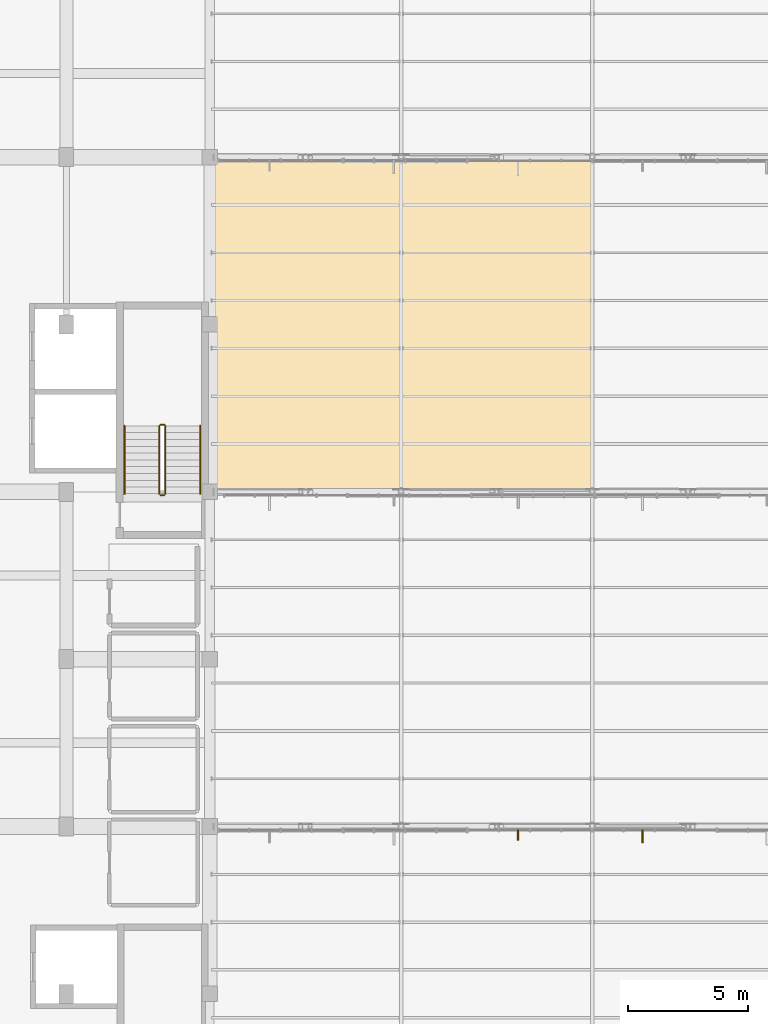
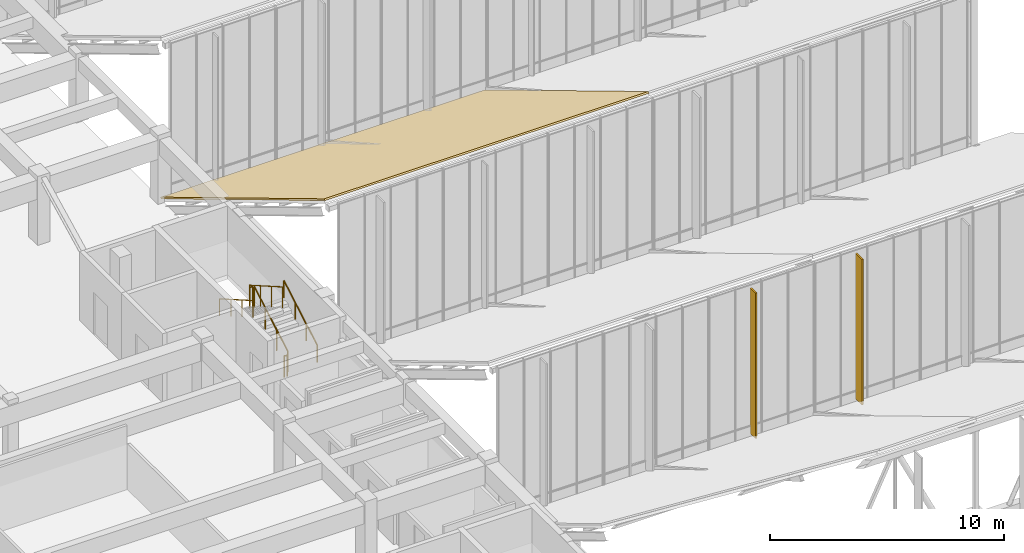
# One storey, part 150 of 155: 6 railings, 2 shading devices, 1 covering.
"""IFC4 building model written with IfcOpenShell, lengths in metres."""

from ifc_helpers import new_model, si_unit, direction, frame, origin, origin_2d, place, context, subcontext, project, spatial, polyline, rectangle, circle, outline, extrude, material, layer, layer_set, type_object, element, save


model = new_model("IFC4")

# Units and contexts
model_context = context("Model", 3, precision=1e-05, world=origin(), true_north=direction((0.0, 1.0)))
body_context = subcontext(model_context, "Body", "Model", "MODEL_VIEW")
ifc_project = project(units=[si_unit("LENGTHUNIT", "METRE"), si_unit("AREAUNIT", "SQUARE_METRE"), si_unit("VOLUMEUNIT", "CUBIC_METRE"), si_unit("PLANEANGLEUNIT", "RADIAN"), si_unit("MASSUNIT", "GRAM", prefix="KILO")], contexts=[model_context])

# Site, building, storey
site_placement = place(None, origin())
site = spatial("IfcSite", under=ifc_project, at=site_placement, CompositionType="ELEMENT")
building_placement = place(site_placement, origin())
building = spatial("IfcBuilding", under=site, at=building_placement, Name="Larkveld Mobility Hub", CompositionType="ELEMENT")
storey_placement = place(building_placement, frame((0.0, 0.0, 8.39990234375)))
storey = spatial("IfcBuildingStorey", under=building, at=storey_placement, Name="L02", CompositionType="ELEMENT", Elevation=8.39990234375)

# Covering
ifc_material_1 = material(Name="Standing-seam zinc-alume roofing", Category="aluminium")
ifc_layer_1 = layer(ifc_material_1, 0.080078125, Name="Standing-seam zinc-alume roofing", Category="aluminium")
ifc_layer_set_1 = layer_set([ifc_layer_1], Name="Standing-seam zinc-alume roofing")
covering_type = type_object("IfcCoveringType", Name="COV-RFG-01", PredefinedType="ROOFING", material=ifc_layer_set_1)
covering_placement = place(storey_placement, frame((152.0, 56.0, 8.482177734375), z_axis=(0.0, 0.51450235251, 0.857488967429), x_axis=(1.0, 0.0, 0.0)))
element("IfcCovering", 1, at=covering_placement, inside=storey, type_object=covering_type, Name="Sawtooth Standing-Seam Metal Roof B3.1", PredefinedType="ROOFING", context=body_context, shape_type="SweptSolid", body=[
    extrude(outline(polyline([(0.0, 0.0), (16.0, 0.0), (16.0, 16.326740671639204), (0.0, 16.326740671639204), (0.0, 0.0)])), origin(), (0.0, 0.0, -1.0), 0.080078125),
])

# Railings
ifc_material_2 = material(Name="Galvanized Steel S355JR balustrade", Category="steel")
railing_type_1 = type_object("IfcRailingType", Name="RL-GRD-1100", PredefinedType="GUARDRAIL", material=ifc_material_2)
railing_1_placement = place(storey_placement, frame((150.139892578125, 55.909912109375, 0.163818359375)))
element("IfcRailing", 2, at=railing_1_placement, inside=storey, type_object=railing_type_1, Name="L02 ST2 stair guard 1", PredefinedType="GUARDRAIL", context=body_context, shape_type="SweptSolid", body=[
    extrude(circle(Radius=0.02392578125, at=origin_2d()), frame((0.0, 0.0, 1.076171875), z_axis=(0.0, 0.867244780686, 0.497882004468), x_axis=(-1.0, 0.0, 0.0)), (0.0, 0.0, 1.0), 3.286376953125),
    extrude(circle(Radius=0.02099609375, at=origin_2d()), origin(), (0.0, 0.0, 1.0), 1.052001953125),
    extrude(circle(Radius=0.02099609375, at=origin_2d()), frame((0.0, 0.949951171875, 0.54541015625)), (0.0, 0.0, 1.0), 1.052001953125),
    extrude(circle(Radius=0.02099609375, at=origin_2d()), frame((0.0, 1.900146484375, 1.0908203125)), (0.0, 0.0, 1.0), 1.052001953125),
    extrude(circle(Radius=0.02099609375, at=origin_2d()), frame((0.0, 2.85009765625, 1.63623046875)), (0.0, 0.0, 1.0), 1.052001953125),
])
railing_2_placement = place(storey_placement, frame((150.090087890625, 58.81005859375, 1.800048828125)))
element("IfcRailing", 3, at=railing_2_placement, inside=storey, type_object=railing_type_1, Name="L02 ST2 stair guard 2", PredefinedType="GUARDRAIL", context=body_context, shape_type="SweptSolid", body=[
    extrude(circle(Radius=0.02392578125, at=origin_2d()), frame((0.0, 0.0, 1.076171875), z_axis=(-1.0, 0.0, 0.0), x_axis=(0.0, -1.0, 0.0)), (0.0, 0.0, 1.0), 0.150146484375),
    extrude(circle(Radius=0.02099609375, at=origin_2d()), origin(), (0.0, 0.0, 1.0), 1.052001953125),
    extrude(circle(Radius=0.02099609375, at=origin_2d()), frame((-0.150146484375, 0.0, 0.0)), (0.0, 0.0, 1.0), 1.052001953125),
])
railing_3_placement = place(storey_placement, frame((149.889892578125, 58.760009765625, 1.963623046875)))
element("IfcRailing", 4, at=railing_3_placement, inside=storey, type_object=railing_type_1, Name="L02 ST2 stair guard 3", PredefinedType="GUARDRAIL", context=body_context, shape_type="SweptSolid", body=[
    extrude(circle(Radius=0.02392578125, at=origin_2d()), frame((0.0, 0.0, 1.076171875), z_axis=(0.0, -0.86721270334, 0.497937874806), x_axis=(1.0, 0.0, 0.0)), (0.0, 0.0, 1.0), 3.28662109375),
    extrude(circle(Radius=0.02099609375, at=origin_2d()), origin(), (0.0, 0.0, 1.0), 1.052001953125),
    extrude(circle(Radius=0.02099609375, at=origin_2d()), frame((0.0, -0.949951171875, 0.54541015625)), (0.0, 0.0, 1.0), 1.052001953125),
    extrude(circle(Radius=0.02099609375, at=origin_2d()), frame((0.0, -1.900146484375, 1.091064453125)), (0.0, 0.0, 1.0), 1.052001953125),
    extrude(circle(Radius=0.02099609375, at=origin_2d()), frame((0.0, -2.85009765625, 1.636474609375)), (0.0, 0.0, 1.0), 1.052001953125),
])
railing_4_placement = place(storey_placement, frame((150.090087890625, 55.860107421875, 0.0)))
element("IfcRailing", 5, at=railing_4_placement, inside=storey, type_object=railing_type_1, Name="L02 ST2 stair guard 4", PredefinedType="GUARDRAIL", context=body_context, shape_type="SweptSolid", body=[
    extrude(circle(Radius=0.02392578125, at=origin_2d()), frame((0.0, 0.0, 1.076171875), z_axis=(-1.0, 0.0, 0.0), x_axis=(0.0, -1.0, 0.0)), (0.0, 0.0, 1.0), 0.150146484375),
    extrude(circle(Radius=0.02099609375, at=origin_2d()), origin(), (0.0, 0.0, 1.0), 1.052001953125),
    extrude(circle(Radius=0.02099609375, at=origin_2d()), frame((-0.150146484375, 0.0, 0.0)), (0.0, 0.0, 1.0), 1.052001953125),
])
ifc_material_3 = material(Name="Brushed Steel S355JR tubular handrail", Category="steel")
railing_type_2 = type_object("IfcRailingType", Name="RL-HND-0900", PredefinedType="HANDRAIL", material=ifc_material_3)
railing_5_placement = place(storey_placement, frame((151.60009765625, 55.909912109375, 0.163818359375)))
element("IfcRailing", 6, at=railing_5_placement, inside=storey, type_object=railing_type_2, Name="L02 ST2 stair handrail 1", PredefinedType="HANDRAIL", context=body_context, shape_type="SweptSolid", body=[
    extrude(circle(Radius=0.02392578125, at=origin_2d()), frame((0.0, 0.0, 0.8759765625), z_axis=(0.0, 0.867244780686, 0.497882004468), x_axis=(-1.0, 0.0, 0.0)), (0.0, 0.0, 1.0), 3.286376953125),
    extrude(circle(Radius=0.02099609375, at=origin_2d()), origin(), (0.0, 0.0, 1.0), 0.851806640625),
    extrude(circle(Radius=0.02099609375, at=origin_2d()), frame((0.0, 0.949951171875, 0.54541015625)), (0.0, 0.0, 1.0), 0.851806640625),
    extrude(circle(Radius=0.02099609375, at=origin_2d()), frame((0.0, 1.900146484375, 1.0908203125)), (0.0, 0.0, 1.0), 0.851806640625),
    extrude(circle(Radius=0.02099609375, at=origin_2d()), frame((0.0, 2.85009765625, 1.63623046875)), (0.0, 0.0, 1.0), 0.851806640625),
])
railing_6_placement = place(storey_placement, frame((148.429931640625, 58.760009765625, 1.963623046875)))
element("IfcRailing", 7, at=railing_6_placement, inside=storey, type_object=railing_type_2, Name="L02 ST2 stair handrail 2", PredefinedType="HANDRAIL", context=body_context, shape_type="SweptSolid", body=[
    extrude(circle(Radius=0.02392578125, at=origin_2d()), frame((0.0, 0.0, 0.8759765625), z_axis=(0.0, -0.86721270334, 0.497937874806), x_axis=(1.0, 0.0, 0.0)), (0.0, 0.0, 1.0), 3.28662109375),
    extrude(circle(Radius=0.02099609375, at=origin_2d()), origin(), (0.0, 0.0, 1.0), 0.851806640625),
    extrude(circle(Radius=0.02099609375, at=origin_2d()), frame((0.0, -0.949951171875, 0.54541015625)), (0.0, 0.0, 1.0), 0.851806640625),
    extrude(circle(Radius=0.02099609375, at=origin_2d()), frame((0.0, -1.900146484375, 1.091064453125)), (0.0, 0.0, 1.0), 0.851806640625),
    extrude(circle(Radius=0.02099609375, at=origin_2d()), frame((0.0, -2.85009765625, 1.636474609375)), (0.0, 0.0, 1.0), 0.851806640625),
])

# Shading devices
ifc_material_4 = material(Name="Precast concrete C50/60", Category="concrete")
ifc_layer_2 = layer(ifc_material_4, 0.06494140625, Name="Precast concrete C50/60", Category="concrete")
ifc_layer_set_2 = layer_set([ifc_layer_2], Name="Precast concrete C50/60")
shading_device_type_1 = type_object("IfcShadingDeviceType", Name="SHD-JAL-01", PredefinedType="JALOUSIE", material=ifc_layer_set_2)
shading_device_1_placement = place(storey_placement, frame((164.89990234375, 41.639892578125, 0.300048828125), z_axis=(0.0, 0.0, 1.0), x_axis=(1.0, 0.0, 0.0)))
element("IfcShadingDevice", 8, at=shading_device_1_placement, inside=storey, type_object=shading_device_type_1, Name="Sawtooth South-Light Brise-Soleil Fin SF-009", PredefinedType="JALOUSIE", context=body_context, shape_type="SweptSolid", body=[
    extrude(rectangle(XDim=0.06494140625, YDim=0.449951171875, at=origin_2d()), origin(), (0.0, 0.0, 1.0), 7.60009765625),
])
ifc_layer_3 = layer(ifc_material_4, 0.074951171875, Name="Precast concrete C50/60", Category="concrete")
ifc_layer_set_3 = layer_set([ifc_layer_3], Name="Precast concrete C50/60")
shading_device_type_2 = type_object("IfcShadingDeviceType", Name="SHD-JAL-02", PredefinedType="JALOUSIE", material=ifc_layer_set_3)
shading_device_2_placement = place(storey_placement, frame((170.10009765625, 41.590087890625, 0.300048828125), z_axis=(0.0, 0.0, 1.0), x_axis=(1.0, 0.0, 0.0)))
element("IfcShadingDevice", 9, at=shading_device_2_placement, inside=storey, type_object=shading_device_type_2, Name="Sawtooth South-Light Brise-Soleil Fin SF-010", PredefinedType="JALOUSIE", context=body_context, shape_type="SweptSolid", body=[
    extrude(rectangle(XDim=0.074951171875, YDim=0.550048828125, at=origin_2d()), origin(), (0.0, 0.0, 1.0), 7.60009765625),
])

save(model, "model.ifc")
